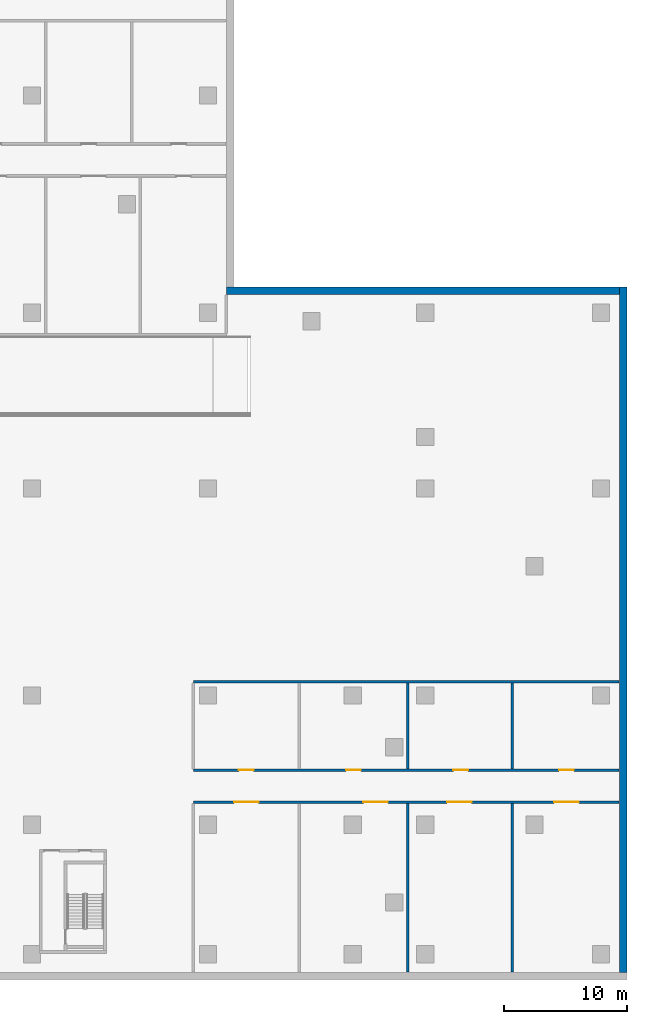
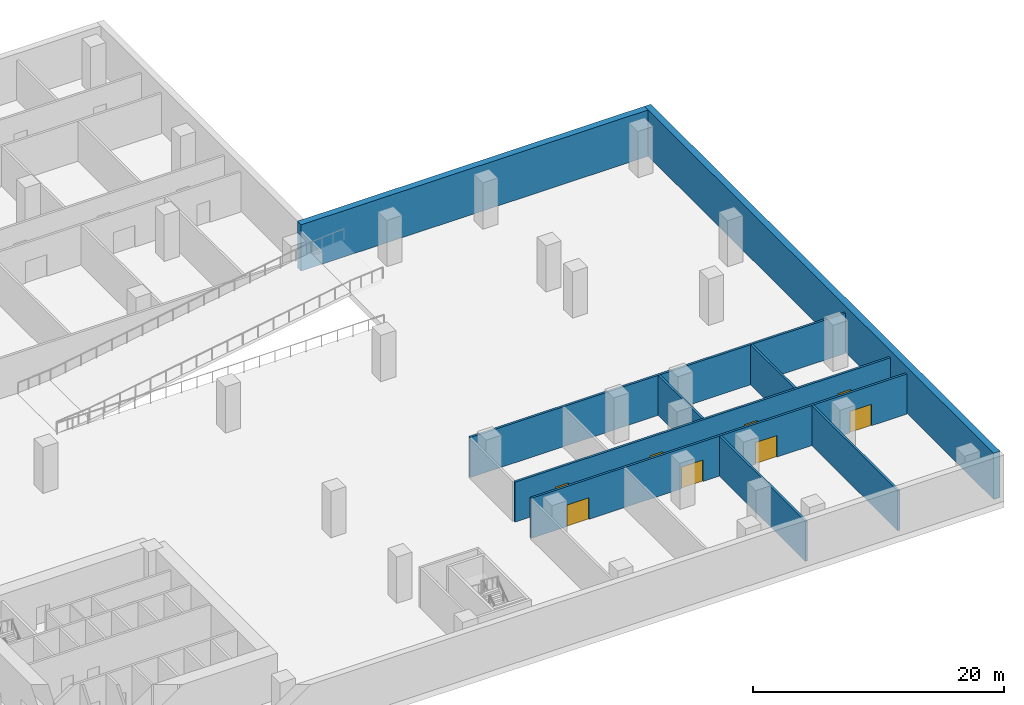
# One storey, part 7 of 12: 9 walls, 8 doors, 8 openings.
"""IFC4 building model written with IfcOpenShell, lengths in metres."""

from ifc_helpers import new_model, si_unit, direction, frame, frame_2d, origin, place, context, subcontext, project, spatial, rectangle, extrude, source, transform, mapped, material, layer, layer_set, type_object, element, fill, save


model = new_model("IFC4")

# Units and contexts
model_context = context("Model", 3, precision=1e-05, world=origin(), true_north=direction((0.0, 1.0)))
body_context = subcontext(model_context, "Body", "Model", "MODEL_VIEW")
ifc_project = project(units=[si_unit("LENGTHUNIT", "METRE"), si_unit("AREAUNIT", "SQUARE_METRE"), si_unit("VOLUMEUNIT", "CUBIC_METRE"), si_unit("PLANEANGLEUNIT", "RADIAN"), si_unit("MASSUNIT", "GRAM", prefix="KILO")], contexts=[model_context])

# Site, building, storey
site_placement = place(None, origin())
site = spatial("IfcSite", under=ifc_project, at=site_placement, CompositionType="ELEMENT")
building_placement = place(site_placement, origin())
building = spatial("IfcBuilding", under=site, at=building_placement, Name="Aurelian Terraces", CompositionType="ELEMENT")
storey_placement = place(building_placement, frame((0.0, 0.0, -9.0)))
storey = spatial("IfcBuildingStorey", under=building, at=storey_placement, Name="B2", CompositionType="ELEMENT", Elevation=-9.0)

# Walls
ifc_material_1 = material(Name="Concrete fc' 40 MPa", Category="concrete")
ifc_layer_1 = layer(ifc_material_1, 0.6)
ifc_layer_set_1 = layer_set([ifc_layer_1], Name="BASEMENT WALL 600 FC40")
wall_type_1 = type_object("IfcWallType", Name="BASEMENT WALL 600 FC40", PredefinedType="SOLIDWALL", material=ifc_layer_set_1)
shared_shape_1 = source(origin(), body_context, "Body", "SweptSolid", [
    extrude(rectangle(XDim=55.68, YDim=0.6, at=frame_2d((27.84, 0.0))), origin(), (0.0, 0.0, 1.0), 4.5),
])
wall_1_placement = place(storey_placement, frame((85.8, -1.5, 0.0), z_axis=(0.0, 0.0, 1.0), x_axis=(0.0, 1.0, 0.0)))
element("IfcWall", 1, at=wall_1_placement, inside=storey, type_object=wall_type_1, Name="Basement wall 5 B2", PredefinedType="SOLIDWALL", context=body_context, shape_type="MappedRepresentation", body=[
    mapped(shared_shape_1, transform((0.0, 0.0, 0.0), scale=1.0)),
])
shared_shape_2 = source(origin(), body_context, "Body", "SweptSolid", [
    extrude(rectangle(XDim=31.92, YDim=0.6, at=frame_2d((15.96, 0.0))), origin(), (0.0, 0.0, 1.0), 4.5),
])
wall_2_placement = place(storey_placement, frame((85.5, 53.88, 0.0), z_axis=(0.0, 0.0, 1.0), x_axis=(-1.0, 0.0, 0.0)))
element("IfcWall", 2, at=wall_2_placement, inside=storey, type_object=wall_type_1, Name="Basement wall 6 B2", PredefinedType="SOLIDWALL", context=body_context, shape_type="MappedRepresentation", body=[
    mapped(shared_shape_2, transform((0.0, 0.0, 0.0), scale=1.0)),
])

# Wall, openings, doors
ifc_material_2 = material(Name="Gypsum board on steel studs", Category="steel")
ifc_layer_2 = layer(ifc_material_2, 0.2)
ifc_layer_set_2 = layer_set([ifc_layer_2], Name="Basement partition 200")
wall_type_2 = type_object("IfcWallType", Name="Basement partition 200", PredefinedType="PARTITIONING", material=ifc_layer_set_2)
shared_shape_3 = source(origin(), body_context, "Body", "SweptSolid", [
    extrude(rectangle(XDim=34.54, YDim=0.2, at=frame_2d((17.27, 0.0))), origin(), (0.0, 0.0, 1.0), 3.9),
])
wall_3_placement = place(storey_placement, frame((50.9, 12.35, 0.0), z_axis=(0.0, 0.0, 1.0), x_axis=(1.0, 0.0, 0.0)))
wall_3 = element("IfcWall", 3, at=wall_3_placement, inside=storey, type_object=wall_type_2, Name="B2 partition 001", PredefinedType="PARTITIONING", context=body_context, shape_type="MappedRepresentation", body=[
    mapped(shared_shape_3, transform((0.0, 0.0, 0.0), scale=1.0)),
])
shared_shape_4 = source(origin(), body_context, "Body", "SweptSolid", [
    extrude(rectangle(XDim=2.0, YDim=2.1, at=frame_2d((1.0, 1.05))), frame((0.0, 0.11, 0.0), z_axis=(0.0, -1.0, 0.0), x_axis=(1.0, 0.0, 0.0)), (0.0, 0.0, 1.0), 0.22),
])
opening_1_placement = place(wall_3_placement, frame((3.3, 0.0, 0.0)))
opening_1 = element("IfcOpeningElement", 4, at=opening_1_placement, cuts=wall_3, Name="Opening 50119", PredefinedType="OPENING", context=body_context, shape_type="MappedRepresentation", body=[
    mapped(shared_shape_4, transform((0.0, 0.0, 0.0), scale=1.0)),
])
opening_2_placement = place(wall_3_placement, frame((13.8, 0.0, 0.0)))
opening_2 = element("IfcOpeningElement", 5, at=opening_2_placement, cuts=wall_3, Name="Opening 50120", PredefinedType="OPENING", context=body_context, shape_type="MappedRepresentation", body=[
    mapped(shared_shape_4, transform((0.0, 0.0, 0.0), scale=1.0)),
])
opening_3_placement = place(wall_3_placement, frame((20.6, 0.0, 0.0)))
opening_3 = element("IfcOpeningElement", 6, at=opening_3_placement, cuts=wall_3, Name="Opening 50121", PredefinedType="OPENING", context=body_context, shape_type="MappedRepresentation", body=[
    mapped(shared_shape_4, transform((0.0, 0.0, 0.0), scale=1.0)),
])
opening_4_placement = place(wall_3_placement, frame((29.3, 0.0, 0.0)))
opening_4 = element("IfcOpeningElement", 7, at=opening_4_placement, cuts=wall_3, Name="Opening 50122", PredefinedType="OPENING", context=body_context, shape_type="MappedRepresentation", body=[
    mapped(shared_shape_4, transform((0.0, 0.0, 0.0), scale=1.0)),
])
ifc_material_3 = material(Name="Steel door leaf", Category="steel")
door_type_1 = type_object("IfcDoorType", Name="Plant room door double 2000x2100", OperationType="DOUBLE_DOOR_SINGLE_SWING", PredefinedType="DOOR", material=ifc_material_3)
shared_shape_5 = source(origin(), body_context, "Body", "SweptSolid", [
    extrude(rectangle(XDim=2.0, YDim=2.1, at=frame_2d((1.0, 1.05))), frame((0.0, 0.025, 0.0), z_axis=(0.0, -1.0, 0.0), x_axis=(1.0, 0.0, 0.0)), (0.0, 0.0, 1.0), 0.05),
])
door_1_placement = place(opening_1_placement, origin())
door_1 = element("IfcDoor", 8, at=door_1_placement, inside=storey, type_object=door_type_1, Name="Room door 50119", OperationType="DOUBLE_DOOR_SINGLE_SWING", OverallHeight=2.1, OverallWidth=2.0, PredefinedType="DOOR", context=body_context, shape_type="MappedRepresentation", body=[
    mapped(shared_shape_5, transform((0.0, 0.0, 0.0), scale=1.0)),
])
fill(opening_1, door_1)
door_2_placement = place(opening_2_placement, origin())
door_2 = element("IfcDoor", 9, at=door_2_placement, inside=storey, type_object=door_type_1, Name="Room door 50120", OperationType="DOUBLE_DOOR_SINGLE_SWING", OverallHeight=2.1, OverallWidth=2.0, PredefinedType="DOOR", context=body_context, shape_type="MappedRepresentation", body=[
    mapped(shared_shape_5, transform((0.0, 0.0, 0.0), scale=1.0)),
])
fill(opening_2, door_2)
door_3_placement = place(opening_3_placement, origin())
door_3 = element("IfcDoor", 10, at=door_3_placement, inside=storey, type_object=door_type_1, Name="Room door 50121", OperationType="DOUBLE_DOOR_SINGLE_SWING", OverallHeight=2.1, OverallWidth=2.0, PredefinedType="DOOR", context=body_context, shape_type="MappedRepresentation", body=[
    mapped(shared_shape_5, transform((0.0, 0.0, 0.0), scale=1.0)),
])
fill(opening_3, door_3)
door_4_placement = place(opening_4_placement, origin())
door_4 = element("IfcDoor", 11, at=door_4_placement, inside=storey, type_object=door_type_1, Name="Room door 50122", OperationType="DOUBLE_DOOR_SINGLE_SWING", OverallHeight=2.1, OverallWidth=2.0, PredefinedType="DOOR", context=body_context, shape_type="MappedRepresentation", body=[
    mapped(shared_shape_5, transform((0.0, 0.0, 0.0), scale=1.0)),
])
fill(opening_4, door_4)

wall_4_placement = place(storey_placement, frame((50.9, 14.95, 0.0), z_axis=(0.0, 0.0, 1.0), x_axis=(1.0, 0.0, 0.0)))
wall_4 = element("IfcWall", 12, at=wall_4_placement, inside=storey, type_object=wall_type_2, Name="B2 partition 002", PredefinedType="PARTITIONING", context=body_context, shape_type="MappedRepresentation", body=[
    mapped(shared_shape_3, transform((0.0, 0.0, 0.0), scale=1.0)),
])
shared_shape_6 = source(origin(), body_context, "Body", "SweptSolid", [
    extrude(rectangle(XDim=1.2, YDim=2.1, at=frame_2d((0.6, 1.05))), frame((0.0, 0.11, 0.0), z_axis=(0.0, -1.0, 0.0), x_axis=(1.0, 0.0, 0.0)), (0.0, 0.0, 1.0), 0.22),
])
opening_5_placement = place(wall_4_placement, frame((3.7, 0.0, 0.0)))
opening_5 = element("IfcOpeningElement", 13, at=opening_5_placement, cuts=wall_4, Name="Opening 50123", PredefinedType="OPENING", context=body_context, shape_type="MappedRepresentation", body=[
    mapped(shared_shape_6, transform((0.0, 0.0, 0.0), scale=1.0)),
])
opening_6_placement = place(wall_4_placement, frame((12.4, 0.0, 0.0)))
opening_6 = element("IfcOpeningElement", 14, at=opening_6_placement, cuts=wall_4, Name="Opening 50124", PredefinedType="OPENING", context=body_context, shape_type="MappedRepresentation", body=[
    mapped(shared_shape_6, transform((0.0, 0.0, 0.0), scale=1.0)),
])
opening_7_placement = place(wall_4_placement, frame((21.1, 0.0, 0.0)))
opening_7 = element("IfcOpeningElement", 15, at=opening_7_placement, cuts=wall_4, Name="Opening 50125", PredefinedType="OPENING", context=body_context, shape_type="MappedRepresentation", body=[
    mapped(shared_shape_6, transform((0.0, 0.0, 0.0), scale=1.0)),
])
opening_8_placement = place(wall_4_placement, frame((29.7, 0.0, 0.0)))
opening_8 = element("IfcOpeningElement", 16, at=opening_8_placement, cuts=wall_4, Name="Opening 50126", PredefinedType="OPENING", context=body_context, shape_type="MappedRepresentation", body=[
    mapped(shared_shape_6, transform((0.0, 0.0, 0.0), scale=1.0)),
])
door_type_2 = type_object("IfcDoorType", Name="Plant room door 1200x2100 right", OperationType="SINGLE_SWING_RIGHT", PredefinedType="DOOR", material=ifc_material_3)
shared_shape_7 = source(origin(), body_context, "Body", "SweptSolid", [
    extrude(rectangle(XDim=1.2, YDim=2.1, at=frame_2d((0.6, 1.05))), frame((0.0, 0.025, 0.0), z_axis=(0.0, -1.0, 0.0), x_axis=(1.0, 0.0, 0.0)), (0.0, 0.0, 1.0), 0.05),
])
door_5_placement = place(opening_5_placement, origin())
door_5 = element("IfcDoor", 17, at=door_5_placement, inside=storey, type_object=door_type_2, Name="Room door 50123", OperationType="SINGLE_SWING_RIGHT", OverallHeight=2.1, OverallWidth=1.2, PredefinedType="DOOR", context=body_context, shape_type="MappedRepresentation", body=[
    mapped(shared_shape_7, transform((0.0, 0.0, 0.0), scale=1.0)),
])
fill(opening_5, door_5)
door_type_3 = type_object("IfcDoorType", Name="Plant room door 1200x2100", OperationType="SINGLE_SWING_LEFT", PredefinedType="DOOR", material=ifc_material_3)
door_6_placement = place(opening_6_placement, origin())
door_6 = element("IfcDoor", 18, at=door_6_placement, inside=storey, type_object=door_type_3, Name="Room door 50124", OperationType="SINGLE_SWING_LEFT", OverallHeight=2.1, OverallWidth=1.2, PredefinedType="DOOR", context=body_context, shape_type="MappedRepresentation", body=[
    mapped(shared_shape_7, transform((0.0, 0.0, 0.0), scale=1.0)),
])
fill(opening_6, door_6)
door_7_placement = place(opening_7_placement, origin())
door_7 = element("IfcDoor", 19, at=door_7_placement, inside=storey, type_object=door_type_2, Name="Room door 50125", OperationType="SINGLE_SWING_RIGHT", OverallHeight=2.1, OverallWidth=1.2, PredefinedType="DOOR", context=body_context, shape_type="MappedRepresentation", body=[
    mapped(shared_shape_7, transform((0.0, 0.0, 0.0), scale=1.0)),
])
fill(opening_7, door_7)
door_8_placement = place(opening_8_placement, origin())
door_8 = element("IfcDoor", 20, at=door_8_placement, inside=storey, type_object=door_type_3, Name="Room door 50126", OperationType="SINGLE_SWING_LEFT", OverallHeight=2.1, OverallWidth=1.2, PredefinedType="DOOR", context=body_context, shape_type="MappedRepresentation", body=[
    mapped(shared_shape_7, transform((0.0, 0.0, 0.0), scale=1.0)),
])
fill(opening_8, door_8)

# Walls
wall_5_placement = place(storey_placement, frame((50.9, 22.1, 0.0), z_axis=(0.0, 0.0, 1.0), x_axis=(1.0, 0.0, 0.0)))
element("IfcWall", 21, at=wall_5_placement, inside=storey, type_object=wall_type_2, Name="B2 partition 003", PredefinedType="PARTITIONING", context=body_context, shape_type="MappedRepresentation", body=[
    mapped(shared_shape_3, transform((0.0, 0.0, 0.0), scale=1.0)),
])
shared_shape_8 = source(origin(), body_context, "Body", "SweptSolid", [
    extrude(rectangle(XDim=13.69, YDim=0.2, at=frame_2d((6.845, 0.0))), origin(), (0.0, 0.0, 1.0), 3.9),
])
for number, where, z_axis, x_axis, name in (
    (22, (68.3, -1.44, 0.0), (0.0, 0.0, 1.0), (0.0, 1.0, 0.0), "B2 partition 034"),
    (23, (76.8, -1.44, 0.0), (0.0, 0.0, 1.0), (0.0, 1.0, 0.0), "B2 partition 036"),
):
    element("IfcWall", number, at=place(storey_placement, frame(where, z_axis=z_axis, x_axis=x_axis)), inside=storey, type_object=wall_type_2, Name=name, PredefinedType="PARTITIONING", context=body_context, shape_type="MappedRepresentation", body=[
        mapped(shared_shape_8, transform((0.0, 0.0, 0.0), scale=1.0)),
    ])
shared_shape_9 = source(origin(), body_context, "Body", "SweptSolid", [
    extrude(rectangle(XDim=6.95, YDim=0.2, at=frame_2d((3.475, 0.0))), origin(), (0.0, 0.0, 1.0), 3.9),
])
for number, where, z_axis, x_axis, name in (
    (24, (68.3, 15.05, 0.0), (0.0, 0.0, 1.0), (0.0, 1.0, 0.0), "B2 partition 035"),
    (25, (76.8, 15.05, 0.0), (0.0, 0.0, 1.0), (0.0, 1.0, 0.0), "B2 partition 037"),
):
    element("IfcWall", number, at=place(storey_placement, frame(where, z_axis=z_axis, x_axis=x_axis)), inside=storey, type_object=wall_type_2, Name=name, PredefinedType="PARTITIONING", context=body_context, shape_type="MappedRepresentation", body=[
        mapped(shared_shape_9, transform((0.0, 0.0, 0.0), scale=1.0)),
    ])

save(model, "model.ifc")
